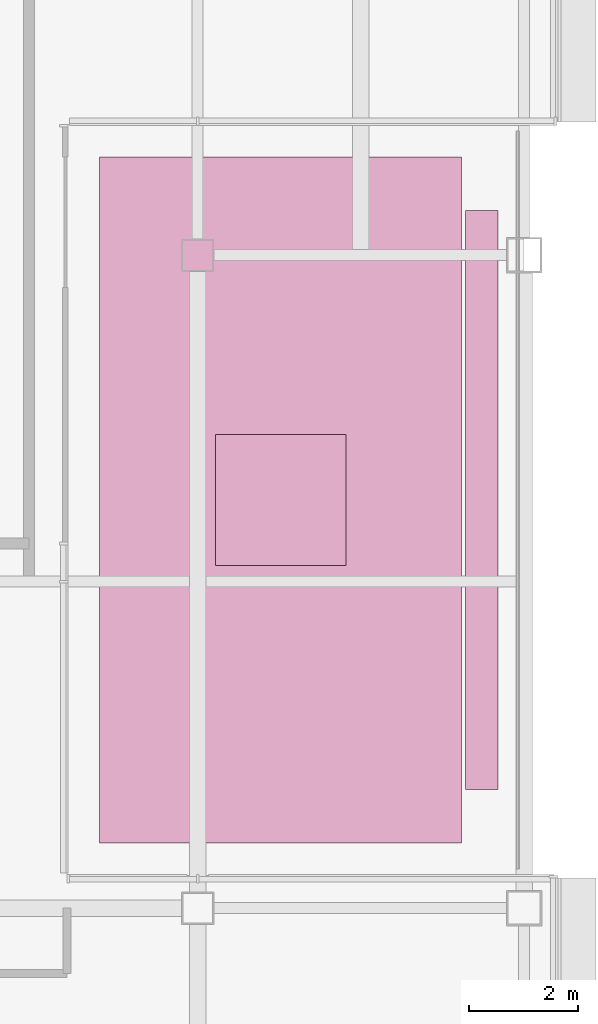
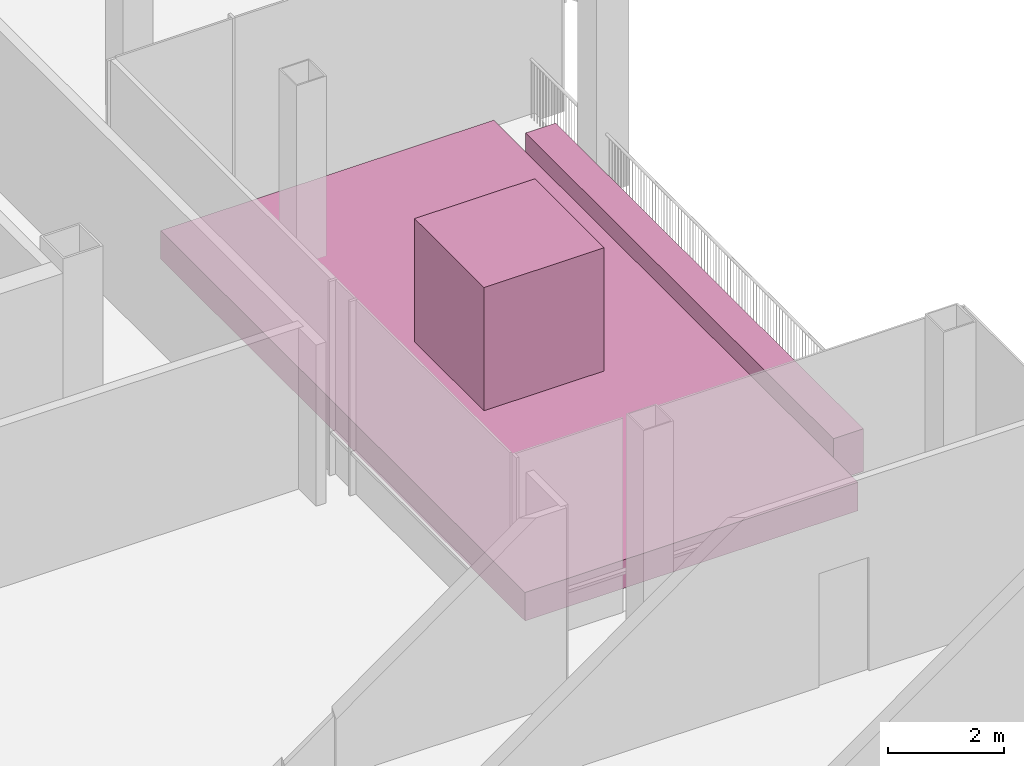
# One storey, part 30 of 30: 3 furniture elements.
"""IFC4 building model written with IfcOpenShell, lengths in metres."""

import ifcopenshell
import ifcopenshell.guid

model = None  # the IFC model being written
_history = None  # IfcOwnerHistory: only IFC2X3 demands one
_inside = {}  # id of a spatial element -> (the spatial element, [elements in it])
_under = {}  # id of a project, library or spatial element -> (it, [spatial elements below it])
_declared = {}  # id of a project -> (the project, [libraries it declares])
_typed = {}  # id of a type object -> (the type object, [elements of that type])
_made_of = {}  # id of a material, layer set ... -> (it, [elements and type objects made of it])


def new_model(schema):
    """Start an empty IFC model of exactly this schema.

    Asked for "IFC4X3", IfcOpenShell would pick the latest addendum, in which some entities
    have other attributes; the version numbers below select the first issue.
    IFC2X3 requires an IfcOwnerHistory on every rooted entity: one is made here for all.
    """
    global model, _history
    if schema == "IFC4X3":
        model = ifcopenshell.file(schema_version=(4, 3, 0, 0))
    else:
        model = ifcopenshell.file(schema=schema)
    _inside.clear()
    _under.clear()
    _declared.clear()
    _typed.clear()
    _made_of.clear()
    _history = None
    if model.schema == "IFC2X3":
        org = make("IfcOrganization", Name="unknown")
        user = make(
            "IfcPersonAndOrganization",
            ThePerson=make("IfcPerson", FamilyName="unknown"),
            TheOrganization=org,
        )
        app = make(
            "IfcApplication",
            ApplicationDeveloper=org,
            Version="unknown",
            ApplicationFullName="unknown",
            ApplicationIdentifier="unknown",
        )
        _history = make(
            "IfcOwnerHistory",
            OwningUser=user,
            OwningApplication=app,
            ChangeAction="ADDED",
            CreationDate=0,
        )
    return model


def make(cls, **values):
    """One entity of the class cls with the attributes given. An attribute that is None is left unset."""
    return model.create_entity(
        cls, **{name: value for name, value in values.items() if value is not None}
    )


def rooted(cls, **values):
    """An entity with a GlobalId (a new one), such as an element, a storey or a relation."""
    return make(cls, GlobalId=ifcopenshell.guid.new(), OwnerHistory=_history, **values)


def si_unit(unit_type, name, prefix=None):
    """IfcSIUnit, for example si_unit("LENGTHUNIT", "METRE", prefix="MILLI")."""
    return make("IfcSIUnit", UnitType=unit_type, Prefix=prefix, Name=name)


def assignment(units):
    """IfcUnitAssignment: the units of a project."""
    return None if units is None else make("IfcUnitAssignment", Units=units)


def point(xyz):
    """IfcCartesianPoint."""
    return None if xyz is None else make("IfcCartesianPoint", Coordinates=xyz)


def direction(xyz):
    """IfcDirection."""
    return None if xyz is None else make("IfcDirection", DirectionRatios=xyz)


def frame(location, z_axis=None, x_axis=None):
    """IfcAxis2Placement3D, a coordinate frame: its origin and axes. An axis left out is left unset."""
    return make(
        "IfcAxis2Placement3D",
        Location=point(location),
        Axis=direction(z_axis),
        RefDirection=direction(x_axis),
    )


def frame_2d(location, x_axis=None):
    """IfcAxis2Placement2D, a coordinate frame in the plane: its origin and x axis."""
    return make(
        "IfcAxis2Placement2D", Location=point(location), RefDirection=direction(x_axis)
    )


def origin():
    """The frame at (0, 0, 0) with its axes left unset."""
    return frame((0.0, 0.0, 0.0))


def origin_2d():
    """The frame at (0, 0) in the plane with its x axis left unset."""
    return frame_2d((0.0, 0.0))


def place(relative_to, where):
    """IfcLocalPlacement: puts the frame where relative to a parent placement (None: the world)."""
    return make(
        "IfcLocalPlacement", PlacementRelTo=relative_to, RelativePlacement=where
    )


def context(
    kind, dimensions, precision=None, world=None, true_north=None, identifier=None
):
    """IfcGeometricRepresentationContext, for example the 3D "Model" context."""
    return make(
        "IfcGeometricRepresentationContext",
        ContextIdentifier=identifier,
        ContextType=kind,
        CoordinateSpaceDimension=dimensions,
        Precision=precision,
        WorldCoordinateSystem=world,
        TrueNorth=true_north,
    )


def subcontext(parent, identifier, kind, view, scale=None):
    """IfcGeometricRepresentationSubContext, for example "Body" below "Model"."""
    return make(
        "IfcGeometricRepresentationSubContext",
        ContextIdentifier=identifier,
        ContextType=kind,
        ParentContext=parent,
        TargetScale=scale,
        TargetView=view,
    )


def project(units=None, contexts=None):
    """IfcProject with its units and contexts."""
    return rooted(
        "IfcProject",
        Name="project",
        RepresentationContexts=contexts,
        UnitsInContext=assignment(units),
    )


def spatial(cls, under=None, at=None, **own):
    """A site, building, storey or space (cls), placed at a placement, below another one or the project."""
    s = rooted(cls, ObjectPlacement=at, **own)
    if under is not None:
        _under.setdefault(under.id(), (under, []))[1].append(s)
    return s


def profile(cls, at=None, kind="AREA", **sizes):
    """A parametric profile (cls). Its sizes go by their IFC names, for example OverallWidth=200.0."""
    return make(cls, ProfileType=kind, Position=at, **sizes)


def rectangle(**sizes):
    """IfcRectangleProfileDef."""
    return profile("IfcRectangleProfileDef", **sizes)


def extrude(swept, where, along, depth):
    """IfcExtrudedAreaSolid: the profile swept, set in the frame where, extruded along a direction by depth."""
    return make(
        "IfcExtrudedAreaSolid",
        SweptArea=swept,
        Position=where,
        ExtrudedDirection=direction(along),
        Depth=depth,
    )


def shape(context_of_items, identifier, shape_type, items):
    """IfcShapeRepresentation: the items that make up one representation, for example the "Body"."""
    return make(
        "IfcShapeRepresentation",
        ContextOfItems=context_of_items,
        RepresentationIdentifier=identifier,
        RepresentationType=shape_type,
        Items=items,
    )


def material(Name=None, Category=None):
    """IfcMaterial."""
    return make("IfcMaterial", Name=Name, Category=Category)


def made_of(thing, what):
    """Note that an element or type object is made of a material, layer set ...; save() writes the relation."""
    if what is not None:
        _made_of.setdefault(what.id(), (what, []))[1].append(thing)
    return thing


def type_object(cls, material=None, **own):
    """A type object (cls), such as IfcWallType, which elements share."""
    return made_of(rooted(cls, **own), material)


def element(
    cls,
    number,
    at=None,
    inside=None,
    cuts=None,
    type_object=None,
    material=None,
    context=None,
    identifier="Body",
    shape_type=None,
    held_by="IfcProductDefinitionShape",
    body=None,
    shapes=None,
    **own,
):
    """One element of the class cls, such as IfcWall. Its Tag is "e" and its number.

    at: its placement. inside: the storey or other place that contains it. cuts: it is an
    opening in that element (IfcRelVoidsElement). A single representation is given by context,
    identifier, shape_type and body (its items); several are given by shapes. held_by: the class
    of the entity that holds the representations. save() writes the other relations.
    """
    e = rooted(cls, Tag="e%d" % number, ObjectPlacement=at, **own)
    if body is not None:
        shapes = [shape(context, identifier, shape_type, body)]
    if shapes is not None:
        e.Representation = make(held_by, Representations=shapes)
    if inside is not None:
        _inside.setdefault(inside.id(), (inside, []))[1].append(e)
    if cuts is not None:
        rooted(
            "IfcRelVoidsElement", RelatingBuildingElement=cuts, RelatedOpeningElement=e
        )
    if type_object is not None:
        _typed.setdefault(type_object.id(), (type_object, []))[1].append(e)
    return made_of(e, material)


def aggregate(whole, parts):
    """IfcRelAggregates: a whole, such as a stair, and the parts it consists of."""
    return rooted("IfcRelAggregates", RelatingObject=whole, RelatedObjects=parts)


def save(model, path):
    """Write the relations noted so far, then the file.

    IfcRelAggregates (storeys below a building ...), IfcRelContainedInSpatialStructure (elements
    in a storey), IfcRelDefinesByType, IfcRelAssociatesMaterial and IfcRelDeclares: one each for
    every whole, place, type object, material and project.
    """
    for whole, parts in _under.values():
        aggregate(whole, parts)
    for where, things in _inside.values():
        rooted(
            "IfcRelContainedInSpatialStructure",
            RelatedElements=things,
            RelatingStructure=where,
        )
    for kind, things in _typed.values():
        rooted("IfcRelDefinesByType", RelatedObjects=things, RelatingType=kind)
    for what, things in _made_of.values():
        rooted("IfcRelAssociatesMaterial", RelatedObjects=things, RelatingMaterial=what)
    for by, libraries in _declared.values():
        rooted("IfcRelDeclares", RelatingContext=by, RelatedDefinitions=libraries)
    model.write(path)


model = new_model("IFC4")

# Units and contexts
model_context = context("Model", 3, precision=1e-05, world=origin(), true_north=direction((0.0, 1.0)))
body_context = subcontext(model_context, "Body", "Model", "MODEL_VIEW")
ifc_project = project(units=[si_unit("LENGTHUNIT", "METRE"), si_unit("AREAUNIT", "SQUARE_METRE"), si_unit("VOLUMEUNIT", "CUBIC_METRE"), si_unit("PLANEANGLEUNIT", "RADIAN"), si_unit("MASSUNIT", "GRAM", prefix="KILO")], contexts=[model_context])

# Site, building, storey
site_placement = place(None, origin())
site = spatial("IfcSite", under=ifc_project, at=site_placement, CompositionType="ELEMENT")
building_placement = place(site_placement, origin())
building = spatial("IfcBuilding", under=site, at=building_placement, Name="Sorahane Residences", CompositionType="ELEMENT")
storey_placement = place(building_placement, frame((0.0, 0.0, 229.800048828125)))
storey = spatial("IfcBuildingStorey", under=building, at=storey_placement, Name="L54", CompositionType="ELEMENT", Elevation=229.800048828125)

# Furniture
ifc_material_1 = material(Name="Planting soil with shrubs in a steel-framed bed", Category="steel")
furniture_type_1 = type_object("IfcFurnitureType", Name="PLANTER bed black steel frame with soil 6650x12600", AssemblyPlace="NOTDEFINED", PredefinedType="NOTDEFINED", material=ifc_material_1)
furniture_1_placement = place(storey_placement, frame((49.52490234375, 19.5, 0.0), z_axis=(0.0, 0.0, 1.0), x_axis=(1.0, 0.0, 0.0)))
element("IfcFurniture", 1, at=furniture_1_placement, inside=storey, type_object=furniture_type_1, Name="PLANTER bed L54.1.1", PredefinedType="NOTDEFINED", context=body_context, shape_type="SweptSolid", body=[
    extrude(rectangle(XDim=6.64990234375, YDim=12.60009765625, at=origin_2d()), origin(), (0.0, 0.0, 1.0), 0.60009765625),
])
ifc_material_2 = material(Name="Planting soil with hedge in a steel-framed trough", Category="steel")
furniture_type_2 = type_object("IfcFurnitureType", Name="PLANTER hedge strip black steel frame with soil", AssemblyPlace="NOTDEFINED", PredefinedType="NOTDEFINED", material=ifc_material_2)
furniture_2_placement = place(storey_placement, frame((53.219970703125, 19.5, 0.0), z_axis=(0.0, 0.0, 1.0), x_axis=(0.0, -1.0, 0.0)))
element("IfcFurniture", 2, at=furniture_2_placement, inside=storey, type_object=furniture_type_2, Name="PLANTER hedge L54.1.1", PredefinedType="NOTDEFINED", context=body_context, shape_type="SweptSolid", body=[
    extrude(rectangle(XDim=10.639892578125, YDim=0.60009765625, at=origin_2d()), origin(), (0.0, 0.0, 1.0), 0.89990234375),
])
ifc_material_3 = material(Name="Green foliage shrub planting")
furniture_type_3 = type_object("IfcFurnitureType", Name="PLANTER shrub planting green foliage", AssemblyPlace="NOTDEFINED", PredefinedType="NOTDEFINED", material=ifc_material_3)
furniture_3_placement = place(storey_placement, frame((49.52490234375, 19.5, 0.599853515625), z_axis=(0.0, 0.0, 1.0), x_axis=(1.0, 0.0, 0.0)))
element("IfcFurniture", 3, at=furniture_3_placement, inside=storey, type_object=furniture_type_3, Name="PLANTER shrub L54.1.1", PredefinedType="NOTDEFINED", context=body_context, shape_type="SweptSolid", body=[
    extrude(rectangle(XDim=2.39990234375, YDim=2.39990234375, at=origin_2d()), origin(), (0.0, 0.0, 1.0), 2.60009765625),
])

save(model, "model.ifc")
